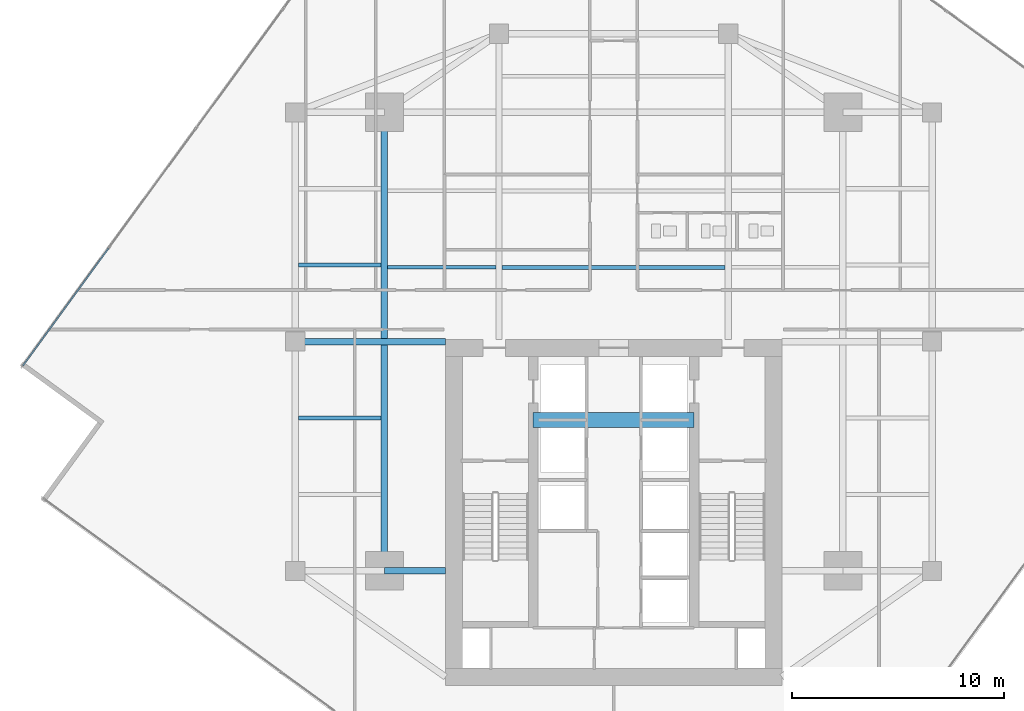
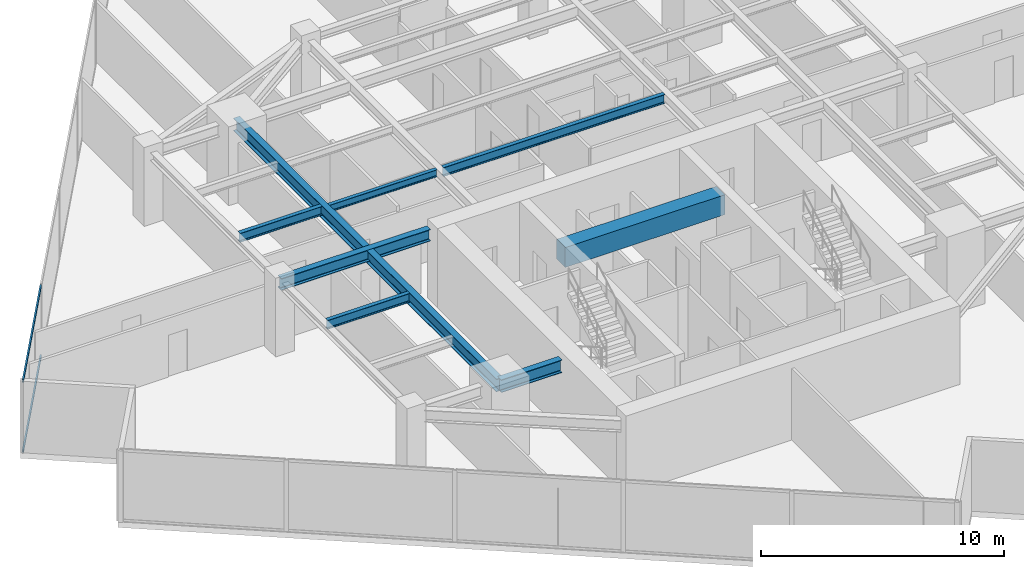
# One storey, part 7 of 25: 8 beams, 2 members, 1 element without a shape of its own.
"""IFC4 building model written with IfcOpenShell, lengths in metres."""

from ifc_helpers import new_model, si_unit, direction, frame, origin, origin_2d, place, context, subcontext, project, spatial, rectangle, hollow_rectangle, i_section, extrude, source, transform, mapped, material, material_profile, profile_set, type_object, type_shapes, element, aggregate, save


model = new_model("IFC4")

# Units and contexts
model_context = context("Model", 3, precision=1e-05, world=origin(), true_north=direction((0.0, 1.0)))
body_context = subcontext(model_context, "Body", "Model", "MODEL_VIEW")
ifc_project = project(units=[si_unit("LENGTHUNIT", "METRE"), si_unit("AREAUNIT", "SQUARE_METRE"), si_unit("VOLUMEUNIT", "CUBIC_METRE"), si_unit("PLANEANGLEUNIT", "RADIAN"), si_unit("MASSUNIT", "GRAM", prefix="KILO")], contexts=[model_context])

# Site, building, storey
site_placement = place(None, origin())
site = spatial("IfcSite", under=ifc_project, at=site_placement, CompositionType="ELEMENT")
building_placement = place(site_placement, origin())
building = spatial("IfcBuilding", under=site, at=building_placement, Name="Krantzveldt Concourse Tower", CompositionType="ELEMENT")
storey_placement = place(building_placement, frame((0.0, 0.0, 197.550048828125)))
storey = spatial("IfcBuildingStorey", under=building, at=storey_placement, Name="L48", CompositionType="ELEMENT", Elevation=197.550048828125)

# Beams
ifc_material_1 = material(Name="Steel S355JR", Category="steel")
ifc_material_profile_1 = material_profile(ifc_material_1, i_section(OverallWidth=0.300048828125, OverallDepth=0.639892578125, WebThickness=0.013427734375, FlangeThickness=0.02587890625, FilletRadius=0.027099609375, at=origin_2d()), Name="Steel S355JR", Category="steel")
ifc_profile_set_1 = profile_set([ifc_material_profile_1], Name="Steel S355JR - HEA 650")
beam_type_1 = type_object("IfcBeamType", Name="BM-B-HEA650", PredefinedType="BEAM", material=ifc_profile_set_1)
shared_shape_1 = source(origin(), body_context, "Body", "SweptSolid", [
    extrude(i_section(OverallWidth=0.300048828125, OverallDepth=0.639892578125, WebThickness=0.013427734375, FlangeThickness=0.02587890625, FilletRadius=0.027099609375, at=origin_2d()), origin(), (0.0, 0.0, 1.0), 21.60009765625),
])
beam_1_placement = place(storey_placement, frame((25.199951171875, 15.89990234375, 3.27001953125), z_axis=(0.0, 1.0, 0.0), x_axis=(-1.0, 0.0, 0.0)))
element("IfcBeam", 1, at=beam_1_placement, inside=storey, type_object=beam_type_1, Name="L48 Tower Girder BG-MW", PredefinedType="BEAM", context=body_context, shape_type="MappedRepresentation", body=[
    mapped(shared_shape_1, transform((0.0, 0.0, 0.0), x_axis=(1.0, 0.0, 0.0), y_axis=(0.0, 1.0, 0.0), z_axis=(0.0, 0.0, 1.0), scale=1.0)),
])
ifc_material_profile_2 = material_profile(ifc_material_1, i_section(OverallWidth=0.300048828125, OverallDepth=0.590087890625, WebThickness=0.012939453125, FlangeThickness=0.02490234375, FilletRadius=0.027099609375, at=origin_2d()), Name="Steel S355JR", Category="steel")
ifc_profile_set_2 = profile_set([ifc_material_profile_2], Name="Steel S355JR - HEA 600")
beam_type_2 = type_object("IfcBeamType", Name="BM-B-HEA600", PredefinedType="BEAM", material=ifc_profile_set_2)
shared_shape_2 = source(origin(), body_context, "Body", "SweptSolid", [
    extrude(i_section(OverallWidth=0.300048828125, OverallDepth=0.590087890625, WebThickness=0.012939453125, FlangeThickness=0.02490234375, FilletRadius=0.027099609375, at=origin_2d()), origin(), (0.0, 0.0, 1.0), 7.080078125),
])
type_shapes(beam_type_2, [shared_shape_2])
beam_2_placement = place(storey_placement, frame((21.0, 26.699951171875, 3.294921875), z_axis=(1.0, 0.0, 0.0), x_axis=(0.0, 1.0, 0.0)))
element("IfcBeam", 2, at=beam_2_placement, inside=storey, type_object=beam_type_2, Name="L48 Tower Girder BG-CW2", PredefinedType="BEAM", context=body_context, shape_type="MappedRepresentation", body=[
    mapped(shared_shape_2, transform((0.0, 0.0, 0.0), x_axis=(1.0, 0.0, 0.0), y_axis=(0.0, 1.0, 0.0), z_axis=(0.0, 0.0, 1.0), scale=1.0)),
])
ifc_material_profile_3 = material_profile(ifc_material_1, i_section(OverallWidth=0.18994140625, OverallDepth=0.449951171875, WebThickness=0.009521484375, FlangeThickness=0.0146484375, FilletRadius=0.02099609375, at=origin_2d()), Name="Steel S355JR", Category="steel")
ifc_profile_set_3 = profile_set([ifc_material_profile_3], Name="Steel S355JR - IPE 450")
beam_type_3 = type_object("IfcBeamType", Name="BM-J-IPE450", PredefinedType="JOIST", material=ifc_profile_set_3)
shared_shape_3 = source(origin(), body_context, "Body", "SweptSolid", [
    extrude(i_section(OverallWidth=0.18994140625, OverallDepth=0.449951171875, WebThickness=0.009521484375, FlangeThickness=0.0146484375, FilletRadius=0.02099609375, at=origin_2d()), origin(), (0.0, 0.0, 1.0), 10.5),
])
beam_3_placement = place(storey_placement, frame((30.75, 30.199951171875, 3.364990234375), z_axis=(1.0, 0.0, 0.0), x_axis=(0.0, 1.0, 0.0)))
element("IfcBeam", 3, at=beam_3_placement, inside=storey, type_object=beam_type_3, Name="L48 Secondary Floor Joist JN-C1", PredefinedType="JOIST", context=body_context, shape_type="MappedRepresentation", body=[
    mapped(shared_shape_3, transform((0.0, 0.0, 0.0), x_axis=(1.0, 0.0, 0.0), y_axis=(0.0, 1.0, 0.0), z_axis=(0.0, 0.0, 1.0), scale=1.0)),
])
ifc_material_2 = material(Name="Concrete C50/60", Category="concrete")
ifc_material_profile_4 = material_profile(ifc_material_2, rectangle(XDim=0.699951171875, YDim=1.0, at=origin_2d()), Name="Concrete C50/60", Category="concrete")
ifc_profile_set_4 = profile_set([ifc_material_profile_4], Name="Concrete C50/60 - RC-CB 700x1000")
beam_type_4 = type_object("IfcBeamType", Name="BM-CB-1000", PredefinedType="LINTEL", material=ifc_profile_set_4)
shared_shape_4 = source(origin(), body_context, "Body", "SweptSolid", [
    extrude(rectangle(XDim=0.699951171875, YDim=1.0, at=origin_2d()), origin(), (0.0, 0.0, 1.0), 7.580078125),
])
type_shapes(beam_type_4, [shared_shape_4])
beam_4_placement = place(storey_placement, frame((32.2099609375, 23.0, 3.08984375), z_axis=(1.0, 0.0, 0.0), x_axis=(0.0, 1.0, 0.0)))
element("IfcBeam", 4, at=beam_4_placement, inside=storey, type_object=beam_type_4, Name="CB-L48-01", PredefinedType="LINTEL", context=body_context, shape_type="MappedRepresentation", body=[
    mapped(shared_shape_4, transform((0.0, 0.0, 0.0), x_axis=(1.0, 0.0, 0.0), y_axis=(0.0, 1.0, 0.0), z_axis=(0.0, 0.0, 1.0), scale=1.0)),
])
shared_shape_5 = source(origin(), body_context, "Body", "SweptSolid", [
    extrude(i_section(OverallWidth=0.300048828125, OverallDepth=0.639892578125, WebThickness=0.013427734375, FlangeThickness=0.02587890625, FilletRadius=0.027099609375, at=origin_2d()), origin(), (0.0, 0.0, 1.0), 2.880126953125),
])
type_shapes(beam_type_1, [shared_shape_1, shared_shape_5])
beam_5_placement = place(storey_placement, frame((25.199951171875, 15.89990234375, 3.27001953125), z_axis=(1.0, 0.0, 0.0), x_axis=(0.0, 1.0, 0.0)))
element("IfcBeam", 5, at=beam_5_placement, inside=storey, type_object=beam_type_1, Name="L48 Tower Girder BG-CW1", PredefinedType="BEAM", context=body_context, shape_type="MappedRepresentation", body=[
    mapped(shared_shape_5, transform((0.0, 0.0, 0.0), x_axis=(1.0, 0.0, 0.0), y_axis=(0.0, 1.0, 0.0), z_axis=(0.0, 0.0, 1.0), scale=1.0)),
])
ifc_material_profile_5 = material_profile(ifc_material_1, i_section(OverallWidth=0.169921875, OverallDepth=0.360107421875, WebThickness=0.008056640625, FlangeThickness=0.0126953125, FilletRadius=0.01806640625, at=origin_2d()), Name="Steel S355JR", Category="steel")
ifc_profile_set_5 = profile_set([ifc_material_profile_5], Name="Steel S355JR - IPE 360")
beam_type_5 = type_object("IfcBeamType", Name="BM-J-IPE360", PredefinedType="JOIST", material=ifc_profile_set_5)
shared_shape_6 = source(origin(), body_context, "Body", "SweptSolid", [
    extrude(i_section(OverallWidth=0.169921875, OverallDepth=0.360107421875, WebThickness=0.008056640625, FlangeThickness=0.0126953125, FilletRadius=0.01806640625, at=origin_2d()), origin(), (0.0, 0.0, 1.0), 5.099853515625),
])
type_shapes(beam_type_5, [shared_shape_6])
beam_6_placement = place(storey_placement, frame((25.35009765625, 30.199951171875, 3.409912109375), z_axis=(1.0, 0.0, 0.0), x_axis=(0.0, 1.0, 0.0)))
element("IfcBeam", 6, at=beam_6_placement, inside=storey, type_object=beam_type_5, Name="L48 Secondary Floor Joist JN-W1", PredefinedType="JOIST", context=body_context, shape_type="MappedRepresentation", body=[
    mapped(shared_shape_6, transform((0.0, 0.0, 0.0), x_axis=(1.0, 0.0, 0.0), y_axis=(0.0, 1.0, 0.0), z_axis=(0.0, 0.0, 1.0), scale=1.0)),
])
shared_shape_7 = source(origin(), body_context, "Body", "SweptSolid", [
    extrude(i_section(OverallWidth=0.18994140625, OverallDepth=0.449951171875, WebThickness=0.009521484375, FlangeThickness=0.0146484375, FilletRadius=0.02099609375, at=origin_2d()), origin(), (0.0, 0.0, 1.0), 3.900146484375),
])
type_shapes(beam_type_3, [shared_shape_3, shared_shape_7])
for number, where, z_axis, x_axis, name in (
    (7, (21.14990234375, 23.10009765625, 3.364990234375), (1.0, 0.0, 0.0), (0.0, 1.0, 0.0), "L48 Secondary Floor Joist JW-2"),
    (8, (21.14990234375, 30.300048828125, 3.364990234375), (1.0, 0.0, 0.0), (0.0, 1.0, 0.0), "L48 Secondary Floor Joist JW-3"),
):
    element("IfcBeam", number, at=place(storey_placement, frame(where, z_axis=z_axis, x_axis=x_axis)), inside=storey, type_object=beam_type_3, Name=name, PredefinedType="JOIST", context=body_context, shape_type="MappedRepresentation", body=[
        mapped(shared_shape_7, transform((0.0, 0.0, 0.0), x_axis=(1.0, 0.0, 0.0), y_axis=(0.0, 1.0, 0.0), z_axis=(0.0, 0.0, 1.0), scale=1.0)),
    ])

# Curtain wall, members
ifc_material_3 = material(Name="Anodised aluminium 6063-T6", Category="aluminium")
curtain_wall_type = type_object("IfcCurtainWallType", Name="CW3", PredefinedType="USERDEFINED", material=ifc_material_3)
curtain_wall_placement = place(storey_placement, origin())
curtain_wall = element("IfcCurtainWall", 9, at=curtain_wall_placement, inside=storey, type_object=curtain_wall_type, Name="CW-L48-F01", ObjectType="UNITISED CURTAIN WALL", PredefinedType="USERDEFINED")
ifc_material_profile_6 = material_profile(ifc_material_3, hollow_rectangle(XDim=0.070068359375, YDim=0.139892578125, WallThickness=0.0048828125, at=origin_2d()), Name="Anodised aluminium 6063-T6", Category="aluminium")
ifc_profile_set_6 = profile_set([ifc_material_profile_6], Name="Anodised aluminium 6063-T6 - ALU-TRAN 140x70x5")
member_type = type_object("IfcMemberType", Name="CW-TRN-150", PredefinedType="USERDEFINED", material=ifc_profile_set_6)
shared_shape_8 = source(origin(), body_context, "Body", "SweptSolid", [
    extrude(hollow_rectangle(XDim=0.070068359375, YDim=0.139892578125, WallThickness=0.0048828125, at=origin_2d()), origin(), (0.0, 0.0, 1.0), 6.85498046875),
])
type_shapes(member_type, [shared_shape_8])
member_1_placement = place(storey_placement, frame((12.207763671875, 31.09716796875, 0.034912109375), z_axis=(-0.589532506121, -0.807744652862, 0.0), x_axis=(0.807744652862, -0.589532506121, 0.0)))
member_1 = element("IfcMember", 10, at=member_1_placement, type_object=member_type, Name="CW-Z34 transom 5.1", ObjectType="TRANSOM", PredefinedType="USERDEFINED", context=body_context, shape_type="MappedRepresentation", body=[
    mapped(shared_shape_8, transform((0.0, 0.0, 0.0), x_axis=(1.0, 0.0, 0.0), y_axis=(0.0, 1.0, 0.0), z_axis=(0.0, 0.0, 1.0), scale=1.0)),
])
member_2_placement = place(storey_placement, frame((12.207763671875, 31.09716796875, 3.554931640625), z_axis=(-0.589532506121, -0.807744652862, 0.0), x_axis=(0.807744652862, -0.589532506121, 0.0)))
member_2 = element("IfcMember", 11, at=member_2_placement, type_object=member_type, Name="CW-Z34 transom 5.2", ObjectType="TRANSOM", PredefinedType="USERDEFINED", context=body_context, shape_type="MappedRepresentation", body=[
    mapped(shared_shape_8, transform((0.0, 0.0, 0.0), x_axis=(1.0, 0.0, 0.0), y_axis=(0.0, 1.0, 0.0), z_axis=(0.0, 0.0, 1.0), scale=1.0)),
])
aggregate(curtain_wall, [member_1, member_2])

save(model, "model.ifc")
